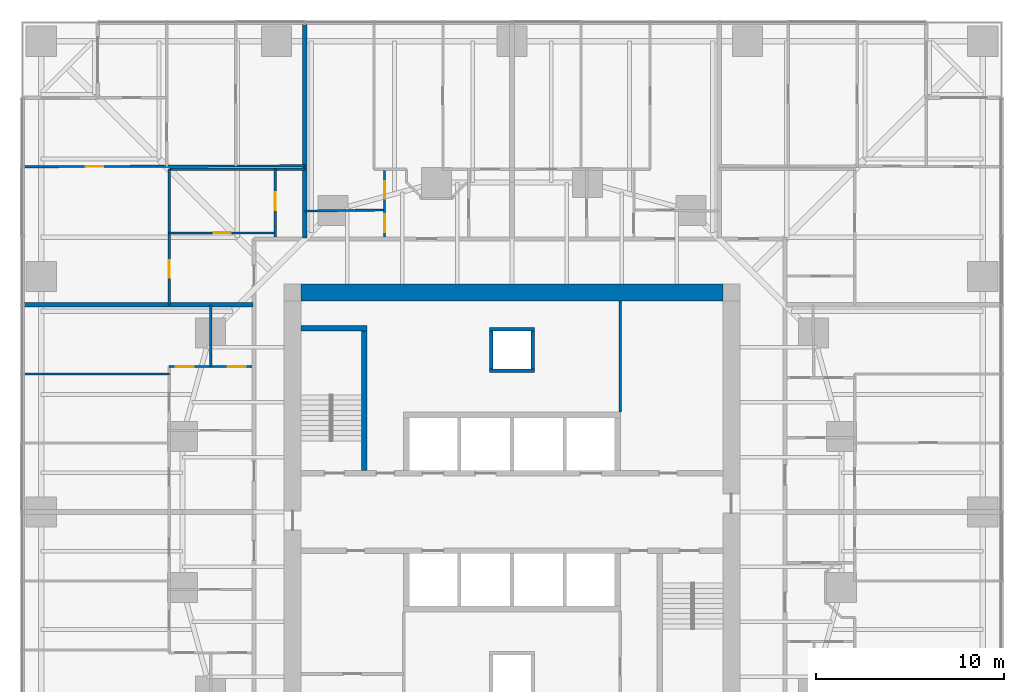
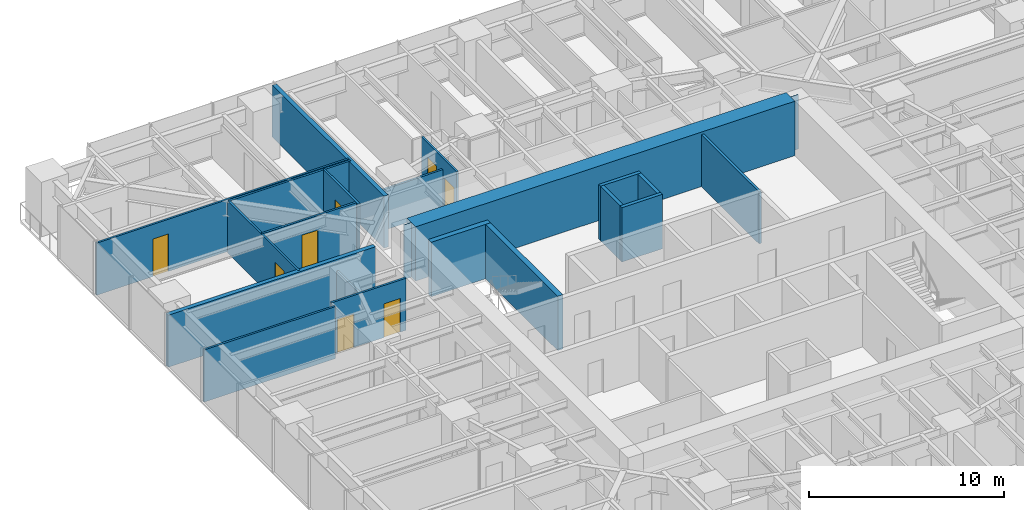
# One storey, part 12 of 16: 20 walls, 8 doors, 8 openings.
"""IFC4 building model written with IfcOpenShell, lengths in metres."""

import ifcopenshell
import ifcopenshell.guid

model = None  # the IFC model being written
_history = None  # IfcOwnerHistory: only IFC2X3 demands one
_inside = {}  # id of a spatial element -> (the spatial element, [elements in it])
_under = {}  # id of a project, library or spatial element -> (it, [spatial elements below it])
_declared = {}  # id of a project -> (the project, [libraries it declares])
_typed = {}  # id of a type object -> (the type object, [elements of that type])
_made_of = {}  # id of a material, layer set ... -> (it, [elements and type objects made of it])


def new_model(schema):
    """Start an empty IFC model of exactly this schema.

    Asked for "IFC4X3", IfcOpenShell would pick the latest addendum, in which some entities
    have other attributes; the version numbers below select the first issue.
    IFC2X3 requires an IfcOwnerHistory on every rooted entity: one is made here for all.
    """
    global model, _history
    if schema == "IFC4X3":
        model = ifcopenshell.file(schema_version=(4, 3, 0, 0))
    else:
        model = ifcopenshell.file(schema=schema)
    _inside.clear()
    _under.clear()
    _declared.clear()
    _typed.clear()
    _made_of.clear()
    _history = None
    if model.schema == "IFC2X3":
        org = make("IfcOrganization", Name="unknown")
        user = make(
            "IfcPersonAndOrganization",
            ThePerson=make("IfcPerson", FamilyName="unknown"),
            TheOrganization=org,
        )
        app = make(
            "IfcApplication",
            ApplicationDeveloper=org,
            Version="unknown",
            ApplicationFullName="unknown",
            ApplicationIdentifier="unknown",
        )
        _history = make(
            "IfcOwnerHistory",
            OwningUser=user,
            OwningApplication=app,
            ChangeAction="ADDED",
            CreationDate=0,
        )
    return model


def make(cls, **values):
    """One entity of the class cls with the attributes given. An attribute that is None is left unset."""
    return model.create_entity(
        cls, **{name: value for name, value in values.items() if value is not None}
    )


def rooted(cls, **values):
    """An entity with a GlobalId (a new one), such as an element, a storey or a relation."""
    return make(cls, GlobalId=ifcopenshell.guid.new(), OwnerHistory=_history, **values)


def si_unit(unit_type, name, prefix=None):
    """IfcSIUnit, for example si_unit("LENGTHUNIT", "METRE", prefix="MILLI")."""
    return make("IfcSIUnit", UnitType=unit_type, Prefix=prefix, Name=name)


def assignment(units):
    """IfcUnitAssignment: the units of a project."""
    return None if units is None else make("IfcUnitAssignment", Units=units)


def point(xyz):
    """IfcCartesianPoint."""
    return None if xyz is None else make("IfcCartesianPoint", Coordinates=xyz)


def direction(xyz):
    """IfcDirection."""
    return None if xyz is None else make("IfcDirection", DirectionRatios=xyz)


def frame(location, z_axis=None, x_axis=None):
    """IfcAxis2Placement3D, a coordinate frame: its origin and axes. An axis left out is left unset."""
    return make(
        "IfcAxis2Placement3D",
        Location=point(location),
        Axis=direction(z_axis),
        RefDirection=direction(x_axis),
    )


def frame_2d(location, x_axis=None):
    """IfcAxis2Placement2D, a coordinate frame in the plane: its origin and x axis."""
    return make(
        "IfcAxis2Placement2D", Location=point(location), RefDirection=direction(x_axis)
    )


def origin():
    """The frame at (0, 0, 0) with its axes left unset."""
    return frame((0.0, 0.0, 0.0))


def place(relative_to, where):
    """IfcLocalPlacement: puts the frame where relative to a parent placement (None: the world)."""
    return make(
        "IfcLocalPlacement", PlacementRelTo=relative_to, RelativePlacement=where
    )


def context(
    kind, dimensions, precision=None, world=None, true_north=None, identifier=None
):
    """IfcGeometricRepresentationContext, for example the 3D "Model" context."""
    return make(
        "IfcGeometricRepresentationContext",
        ContextIdentifier=identifier,
        ContextType=kind,
        CoordinateSpaceDimension=dimensions,
        Precision=precision,
        WorldCoordinateSystem=world,
        TrueNorth=true_north,
    )


def subcontext(parent, identifier, kind, view, scale=None):
    """IfcGeometricRepresentationSubContext, for example "Body" below "Model"."""
    return make(
        "IfcGeometricRepresentationSubContext",
        ContextIdentifier=identifier,
        ContextType=kind,
        ParentContext=parent,
        TargetScale=scale,
        TargetView=view,
    )


def project(units=None, contexts=None):
    """IfcProject with its units and contexts."""
    return rooted(
        "IfcProject",
        Name="project",
        RepresentationContexts=contexts,
        UnitsInContext=assignment(units),
    )


def spatial(cls, under=None, at=None, **own):
    """A site, building, storey or space (cls), placed at a placement, below another one or the project."""
    s = rooted(cls, ObjectPlacement=at, **own)
    if under is not None:
        _under.setdefault(under.id(), (under, []))[1].append(s)
    return s


def polyline(points):
    """IfcPolyline through the points."""
    return make("IfcPolyline", Points=[point(p) for p in points])


def profile(cls, at=None, kind="AREA", **sizes):
    """A parametric profile (cls). Its sizes go by their IFC names, for example OverallWidth=200.0."""
    return make(cls, ProfileType=kind, Position=at, **sizes)


def rectangle(**sizes):
    """IfcRectangleProfileDef."""
    return profile("IfcRectangleProfileDef", **sizes)


def outline(outer, holes=None, kind="AREA"):
    """IfcArbitraryClosedProfileDef: a profile drawn as a closed curve; with holes, ...WithVoids."""
    if holes is None:
        return make("IfcArbitraryClosedProfileDef", ProfileType=kind, OuterCurve=outer)
    return make(
        "IfcArbitraryProfileDefWithVoids",
        ProfileType=kind,
        OuterCurve=outer,
        InnerCurves=holes,
    )


def extrude(swept, where, along, depth):
    """IfcExtrudedAreaSolid: the profile swept, set in the frame where, extruded along a direction by depth."""
    return make(
        "IfcExtrudedAreaSolid",
        SweptArea=swept,
        Position=where,
        ExtrudedDirection=direction(along),
        Depth=depth,
    )


def shape(context_of_items, identifier, shape_type, items):
    """IfcShapeRepresentation: the items that make up one representation, for example the "Body"."""
    return make(
        "IfcShapeRepresentation",
        ContextOfItems=context_of_items,
        RepresentationIdentifier=identifier,
        RepresentationType=shape_type,
        Items=items,
    )


def material(Name=None, Category=None):
    """IfcMaterial."""
    return make("IfcMaterial", Name=Name, Category=Category)


def layer(
    of_material, thickness, ventilated=None, Name=None, Category=None, Priority=None
):
    """IfcMaterialLayer: one layer of a wall or slab, of a material (None: an air gap)."""
    return make(
        "IfcMaterialLayer",
        Material=of_material,
        LayerThickness=thickness,
        IsVentilated=ventilated,
        Name=Name,
        Category=Category,
        Priority=Priority,
    )


def layer_set(layers, Name=None):
    """IfcMaterialLayerSet."""
    return make("IfcMaterialLayerSet", MaterialLayers=layers, LayerSetName=Name)


def made_of(thing, what):
    """Note that an element or type object is made of a material, layer set ...; save() writes the relation."""
    if what is not None:
        _made_of.setdefault(what.id(), (what, []))[1].append(thing)
    return thing


def type_object(cls, material=None, **own):
    """A type object (cls), such as IfcWallType, which elements share."""
    return made_of(rooted(cls, **own), material)


def element(
    cls,
    number,
    at=None,
    inside=None,
    cuts=None,
    type_object=None,
    material=None,
    context=None,
    identifier="Body",
    shape_type=None,
    held_by="IfcProductDefinitionShape",
    body=None,
    shapes=None,
    **own,
):
    """One element of the class cls, such as IfcWall. Its Tag is "e" and its number.

    at: its placement. inside: the storey or other place that contains it. cuts: it is an
    opening in that element (IfcRelVoidsElement). A single representation is given by context,
    identifier, shape_type and body (its items); several are given by shapes. held_by: the class
    of the entity that holds the representations. save() writes the other relations.
    """
    e = rooted(cls, Tag="e%d" % number, ObjectPlacement=at, **own)
    if body is not None:
        shapes = [shape(context, identifier, shape_type, body)]
    if shapes is not None:
        e.Representation = make(held_by, Representations=shapes)
    if inside is not None:
        _inside.setdefault(inside.id(), (inside, []))[1].append(e)
    if cuts is not None:
        rooted(
            "IfcRelVoidsElement", RelatingBuildingElement=cuts, RelatedOpeningElement=e
        )
    if type_object is not None:
        _typed.setdefault(type_object.id(), (type_object, []))[1].append(e)
    return made_of(e, material)


def fill(opening, filler):
    """IfcRelFillsElement: the door or window that sits in an opening."""
    return rooted(
        "IfcRelFillsElement",
        RelatingOpeningElement=opening,
        RelatedBuildingElement=filler,
    )


def aggregate(whole, parts):
    """IfcRelAggregates: a whole, such as a stair, and the parts it consists of."""
    return rooted("IfcRelAggregates", RelatingObject=whole, RelatedObjects=parts)


def save(model, path):
    """Write the relations noted so far, then the file.

    IfcRelAggregates (storeys below a building ...), IfcRelContainedInSpatialStructure (elements
    in a storey), IfcRelDefinesByType, IfcRelAssociatesMaterial and IfcRelDeclares: one each for
    every whole, place, type object, material and project.
    """
    for whole, parts in _under.values():
        aggregate(whole, parts)
    for where, things in _inside.values():
        rooted(
            "IfcRelContainedInSpatialStructure",
            RelatedElements=things,
            RelatingStructure=where,
        )
    for kind, things in _typed.values():
        rooted("IfcRelDefinesByType", RelatedObjects=things, RelatingType=kind)
    for what, things in _made_of.values():
        rooted("IfcRelAssociatesMaterial", RelatedObjects=things, RelatingMaterial=what)
    for by, libraries in _declared.values():
        rooted("IfcRelDeclares", RelatingContext=by, RelatedDefinitions=libraries)
    model.write(path)


model = new_model("IFC4")

# Units and contexts
model_context = context("Model", 3, precision=1e-05, world=origin(), true_north=direction((0.0, 1.0)))
body_context = subcontext(model_context, "Body", "Model", "MODEL_VIEW")
ifc_project = project(units=[si_unit("LENGTHUNIT", "METRE"), si_unit("AREAUNIT", "SQUARE_METRE"), si_unit("VOLUMEUNIT", "CUBIC_METRE"), si_unit("PLANEANGLEUNIT", "RADIAN"), si_unit("MASSUNIT", "GRAM", prefix="KILO")], contexts=[model_context])

# Site, building, storey
site_placement = place(None, origin())
site = spatial("IfcSite", under=ifc_project, at=site_placement, CompositionType="ELEMENT")
building_placement = place(site_placement, origin())
building = spatial("IfcBuilding", under=site, at=building_placement, Name="Torsade Residences", CompositionType="ELEMENT")
storey_placement = place(building_placement, frame((0.0, 0.0, 35.39990234375)))
storey = spatial("IfcBuildingStorey", under=building, at=storey_placement, Name="L09", CompositionType="ELEMENT", Elevation=35.39990234375)

# Walls
ifc_material_1 = material(Name="Concrete 80 MPa", Category="concrete")
ifc_layer_1 = layer(ifc_material_1, 0.300048828125)
ifc_layer_set_1 = layer_set([ifc_layer_1], Name="Concrete 80 MPa")
wall_type_1 = type_object("IfcWallType", Name="CORE INTERNAL WALL 300", PredefinedType="SHEAR", material=ifc_layer_set_1)
wall_1_placement = place(storey_placement, frame((32.14990234375, 32.199951171875, 0.0), z_axis=(0.0, 0.0, 1.0), x_axis=(0.0, 1.0, 0.0)))
element("IfcWall", 1, at=wall_1_placement, inside=storey, type_object=wall_type_1, Name="Core wall ST1E L09", PredefinedType="SHEAR", context=body_context, shape_type="SweptSolid", body=[
    extrude(rectangle(XDim=7.699951171875, YDim=0.300048828125, at=frame_2d((3.85009765625, 0.0))), origin(), (0.0, 0.0, 1.0), 3.400146484375),
])
wall_2_placement = place(storey_placement, frame((28.800048828125, 39.75, 0.0), z_axis=(0.0, 0.0, 1.0), x_axis=(1.0, 0.0, 0.0)))
element("IfcWall", 2, at=wall_2_placement, inside=storey, type_object=wall_type_1, Name="Core wall ST1N L09", PredefinedType="SHEAR", context=body_context, shape_type="SweptSolid", body=[
    extrude(rectangle(XDim=3.5, YDim=0.300048828125, at=frame_2d((1.75, 0.0))), origin(), (0.0, 0.0, 1.0), 3.400146484375),
])
ifc_material_2 = material(Name="Concrete 80 MPa", Category="concrete")
ifc_layer_2 = layer(ifc_material_2, 0.89990234375)
ifc_layer_set_2 = layer_set([ifc_layer_2], Name="Concrete 80 MPa")
wall_type_2 = type_object("IfcWallType", Name="CORE WALL 900", PredefinedType="SHEAR", material=ifc_layer_set_2)
wall_3_placement = place(storey_placement, frame((28.800048828125, 41.64990234375, 0.0), z_axis=(0.0, 0.0, 1.0), x_axis=(1.0, 0.0, 0.0)))
element("IfcWall", 3, at=wall_3_placement, inside=storey, type_object=wall_type_2, Name="Core wall N L09", PredefinedType="SHEAR", context=body_context, shape_type="SweptSolid", body=[
    extrude(outline(polyline([(0.0, -0.449951171875), (22.39990234375, -0.449951171875), (22.39990234375, -0.02490234375), (22.849853515625, -0.02490234375), (22.849853515625, 0.02490234375), (22.39990234375, 0.02490234375), (22.39990234375, 0.449951171875), (0.0, 0.449951171875), (0.0, 0.02490234375), (-0.449951171875, 0.02490234375), (-0.449951171875, -0.02490234375), (0.0, -0.02490234375), (0.0, -0.449951171875)])), origin(), (0.0, 0.0, 1.0), 3.400146484375),
])

# Wall, openings, doors
ifc_material_3 = material(Name="Plasterboard on steel stud", Category="steel")
ifc_layer_3 = layer(ifc_material_3, 0.1201171875)
ifc_layer_set_3 = layer_set([ifc_layer_3], Name="Plasterboard on steel stud")
wall_type_3 = type_object("IfcWallType", Name="PARTITION 120", PredefinedType="PARTITIONING", material=ifc_layer_set_3)
wall_4_placement = place(storey_placement, frame((33.235107421875, 44.60009765625, 0.0), z_axis=(0.0, 0.0, 1.0), x_axis=(0.0, 1.0, 0.0)))
wall_4 = element("IfcWall", 4, at=wall_4_placement, inside=storey, type_object=wall_type_3, Name="Partition L09", PredefinedType="PARTITIONING", context=body_context, shape_type="SweptSolid", body=[
    extrude(rectangle(XDim=3.599853515625, YDim=0.1201171875, at=frame_2d((1.7998046875, 0.0))), origin(), (0.0, 0.0, 1.0), 3.25),
])
opening_1_placement = place(wall_4_placement, frame((2.033447265625, 0.0, 0.0)))
opening_1 = element("IfcOpeningElement", 5, at=opening_1_placement, cuts=wall_4, Name="Opening D02", PredefinedType="OPENING", context=body_context, shape_type="SweptSolid", body=[
    extrude(rectangle(XDim=0.919921875, YDim=2.340087890625, at=frame_2d((0.4599609375, 1.169921875))), frame((0.0, 0.070068359375, 0.0), z_axis=(0.0, -1.0, 0.0), x_axis=(1.0, 0.0, 0.0)), (0.0, 0.0, 1.0), 0.14013671875),
])
opening_2_placement = place(wall_4_placement, frame((0.263427734375, 0.0, 0.0)))
opening_2 = element("IfcOpeningElement", 6, at=opening_2_placement, cuts=wall_4, Name="Opening D05", PredefinedType="OPENING", context=body_context, shape_type="SweptSolid", body=[
    extrude(rectangle(XDim=0.9599609375, YDim=2.10009765625, at=frame_2d((0.47998046875, 1.050048828125))), frame((0.0, 0.070068359375, 0.0), z_axis=(0.0, -1.0, 0.0), x_axis=(1.0, 0.0, 0.0)), (0.0, 0.0, 1.0), 0.14013671875),
])
ifc_material_4 = material(Name="Hollow-core timber door in a steel cavity frame", Category="steel")
door_type_1 = type_object("IfcDoorType", Name="BATHROOM CAVITY SLIDING DOOR 960", OperationType="SLIDING_TO_LEFT", PredefinedType="DOOR", material=ifc_material_4)
door_1_placement = place(opening_2_placement, origin())
door_1 = element("IfcDoor", 7, at=door_1_placement, inside=storey, type_object=door_type_1, Name="Door Kitchen and dining to Bathroom", OperationType="SLIDING_TO_LEFT", OverallHeight=2.10009765625, OverallWidth=0.9599609375, PredefinedType="DOOR", context=body_context, shape_type="SweptSolid", body=[
    extrude(rectangle(XDim=0.9599609375, YDim=2.10009765625, at=frame_2d((0.47998046875, 1.050048828125))), frame((0.0, 0.02490234375, 0.0), z_axis=(0.0, -1.0, 0.0), x_axis=(1.0, 0.0, 0.0)), (0.0, 0.0, 1.0), 0.050048828125),
])
fill(opening_2, door_1)
ifc_material_5 = material(Name="Hollow-core timber door", Category="wood")
door_type_2 = type_object("IfcDoorType", Name="INTERNAL DOOR 920x2340", OperationType="NOTDEFINED", PredefinedType="DOOR", material=ifc_material_5)
door_2_placement = place(opening_1_placement, origin())
door_2 = element("IfcDoor", 8, at=door_2_placement, inside=storey, type_object=door_type_2, Name="Door Kitchen and dining to Bedroom 1", OperationType="SINGLE_SWING_RIGHT", OverallHeight=2.340087890625, OverallWidth=0.919921875, PredefinedType="DOOR", context=body_context, shape_type="SweptSolid", body=[
    extrude(rectangle(XDim=0.919921875, YDim=2.340087890625, at=frame_2d((0.4599609375, 1.169921875))), frame((0.0, 0.02490234375, 0.0), z_axis=(0.0, -1.0, 0.0), x_axis=(1.0, 0.0, 0.0)), (0.0, 0.0, 1.0), 0.050048828125),
])
fill(opening_1, door_2)

# Wall
wall_5_placement = place(storey_placement, frame((29.0, 45.979736328125, 0.0), z_axis=(0.0, 0.0, 1.0), x_axis=(0.999909030942, 0.01348813704, 0.0)))
element("IfcWall", 9, at=wall_5_placement, inside=storey, type_object=wall_type_3, Name="Partition L09", PredefinedType="PARTITIONING", context=body_context, shape_type="SweptSolid", body=[
    extrude(rectangle(XDim=4.235595703125, YDim=0.1201171875, at=frame_2d((2.11767578125, 0.0))), origin(), (0.0, 0.0, 1.0), 2.549072265625),
])

# Wall, opening, door
wall_6_placement = place(storey_placement, frame((21.800048828125, 44.82080078125, 0.0), z_axis=(0.0, 0.0, 1.0), x_axis=(1.0, 0.0, 0.0)))
wall_6 = element("IfcWall", 10, at=wall_6_placement, inside=storey, type_object=wall_type_3, Name="Partition L09", PredefinedType="PARTITIONING", context=body_context, shape_type="SweptSolid", body=[
    extrude(rectangle(XDim=5.631103515625, YDim=0.1201171875, at=frame_2d((2.8154296875, 0.0))), origin(), (0.0, 0.0, 1.0), 3.25),
])
opening_3_placement = place(wall_6_placement, frame((2.35546875, 0.0, 0.0)))
opening_3 = element("IfcOpeningElement", 11, at=opening_3_placement, cuts=wall_6, Name="Opening D02", PredefinedType="OPENING", context=body_context, shape_type="SweptSolid", body=[
    extrude(rectangle(XDim=0.919921875, YDim=2.340087890625, at=frame_2d((0.4599609375, 1.169921875))), frame((0.0, 0.070068359375, 0.0), z_axis=(0.0, -1.0, 0.0), x_axis=(1.0, 0.0, 0.0)), (0.0, 0.0, 1.0), 0.14013671875),
])
door_3_placement = place(opening_3_placement, origin())
door_3 = element("IfcDoor", 12, at=door_3_placement, inside=storey, type_object=door_type_2, Name="Door Kitchen and dining to Scullery", OperationType="SINGLE_SWING_LEFT", OverallHeight=2.340087890625, OverallWidth=0.919921875, PredefinedType="DOOR", context=body_context, shape_type="SweptSolid", body=[
    extrude(rectangle(XDim=0.919921875, YDim=2.340087890625, at=frame_2d((0.4599609375, 1.169921875))), frame((0.0, 0.02490234375, 0.0), z_axis=(0.0, -1.0, 0.0), x_axis=(1.0, 0.0, 0.0)), (0.0, 0.0, 1.0), 0.050048828125),
])
fill(opening_3, door_3)

wall_7_placement = place(storey_placement, frame((27.43115234375, 48.199951171875, 0.0), z_axis=(0.0, 0.0, 1.0), x_axis=(0.0, -1.0, 0.0)))
wall_7 = element("IfcWall", 13, at=wall_7_placement, inside=storey, type_object=wall_type_3, Name="Partition L09", PredefinedType="PARTITIONING", context=body_context, shape_type="SweptSolid", body=[
    extrude(rectangle(XDim=3.599853515625, YDim=0.1201171875, at=frame_2d((1.7998046875, 0.0))), origin(), (0.0, 0.0, 1.0), 3.25),
])
opening_4_placement = place(wall_7_placement, frame((1.20947265625, 0.0, 0.0)))
opening_4 = element("IfcOpeningElement", 14, at=opening_4_placement, cuts=wall_7, Name="Opening D05", PredefinedType="OPENING", context=body_context, shape_type="SweptSolid", body=[
    extrude(rectangle(XDim=0.9599609375, YDim=2.10009765625, at=frame_2d((0.47998046875, 1.050048828125))), frame((0.0, 0.070068359375, 0.0), z_axis=(0.0, -1.0, 0.0), x_axis=(1.0, 0.0, 0.0)), (0.0, 0.0, 1.0), 0.14013671875),
])
door_4_placement = place(opening_4_placement, origin())
door_4 = element("IfcDoor", 15, at=door_4_placement, inside=storey, type_object=door_type_1, Name="Door Scullery to Bathroom", OperationType="SLIDING_TO_LEFT", OverallHeight=2.10009765625, OverallWidth=0.9599609375, PredefinedType="DOOR", context=body_context, shape_type="SweptSolid", body=[
    extrude(rectangle(XDim=0.9599609375, YDim=2.10009765625, at=frame_2d((0.47998046875, 1.050048828125))), frame((0.0, 0.02490234375, 0.0), z_axis=(0.0, -1.0, 0.0), x_axis=(1.0, 0.0, 0.0)), (0.0, 0.0, 1.0), 0.050048828125),
])
fill(opening_4, door_4)

wall_8_placement = place(storey_placement, frame((21.800048828125, 41.0, 0.0), z_axis=(0.0, 0.0, 1.0), x_axis=(0.0, 1.0, 0.0)))
wall_8 = element("IfcWall", 16, at=wall_8_placement, inside=storey, type_object=wall_type_3, Name="Partition L09", PredefinedType="PARTITIONING", context=body_context, shape_type="SweptSolid", body=[
    extrude(rectangle(XDim=7.199951171875, YDim=0.1201171875, at=frame_2d((3.60009765625, 0.0))), origin(), (0.0, 0.0, 1.0), 3.25),
])
opening_5_placement = place(wall_8_placement, frame((1.450439453125, 0.0, 0.0)))
opening_5 = element("IfcOpeningElement", 17, at=opening_5_placement, cuts=wall_8, Name="Opening D02", PredefinedType="OPENING", context=body_context, shape_type="SweptSolid", body=[
    extrude(rectangle(XDim=0.919921875, YDim=2.340087890625, at=frame_2d((0.4599609375, 1.169921875))), frame((0.0, 0.070068359375, 0.0), z_axis=(0.0, -1.0, 0.0), x_axis=(1.0, 0.0, 0.0)), (0.0, 0.0, 1.0), 0.14013671875),
])
door_5_placement = place(opening_5_placement, origin())
door_5 = element("IfcDoor", 18, at=door_5_placement, inside=storey, type_object=door_type_2, Name="Door Kitchen and dining to Living room", OperationType="SINGLE_SWING_LEFT", OverallHeight=2.340087890625, OverallWidth=0.919921875, PredefinedType="DOOR", context=body_context, shape_type="SweptSolid", body=[
    extrude(rectangle(XDim=0.919921875, YDim=2.340087890625, at=frame_2d((0.4599609375, 1.169921875))), frame((0.0, 0.02490234375, 0.0), z_axis=(0.0, -1.0, 0.0), x_axis=(1.0, 0.0, 0.0)), (0.0, 0.0, 1.0), 0.050048828125),
])
fill(opening_5, door_5)

# Wall
wall_9_placement = place(storey_placement, frame((21.800048828125, 48.199951171875, 0.0), z_axis=(0.0, 0.0, 1.0), x_axis=(1.0, 0.0, 0.0)))
element("IfcWall", 19, at=wall_9_placement, inside=storey, type_object=wall_type_3, Name="Partition L09", PredefinedType="PARTITIONING", context=body_context, shape_type="SweptSolid", body=[
    extrude(rectangle(XDim=7.199951171875, YDim=0.1201171875, at=frame_2d((3.60009765625, 0.0))), origin(), (0.0, 0.0, 1.0), 3.25),
])

# Wall, opening, door
wall_10_placement = place(storey_placement, frame((14.0400390625, 48.333251953125, 0.0), z_axis=(0.0, 0.0, 1.0), x_axis=(0.9999944038, 0.003345499915, 0.0)))
wall_10 = element("IfcWall", 20, at=wall_10_placement, inside=storey, type_object=wall_type_3, Name="Partition L09", PredefinedType="PARTITIONING", context=body_context, shape_type="SweptSolid", body=[
    extrude(rectangle(XDim=14.9599609375, YDim=0.1201171875, at=frame_2d((7.47998046875, 0.0))), origin(), (0.0, 0.0, 1.0), 3.25),
])
opening_6_placement = place(wall_10_placement, frame((3.333251953125, 0.0, 0.0)))
opening_6 = element("IfcOpeningElement", 21, at=opening_6_placement, cuts=wall_10, Name="Opening D02", PredefinedType="OPENING", context=body_context, shape_type="SweptSolid", body=[
    extrude(rectangle(XDim=0.919921875, YDim=2.340087890625, at=frame_2d((0.4599609375, 1.169921875))), frame((0.0, 0.070068359375, 0.0), z_axis=(0.0, -1.0, 0.0), x_axis=(1.0, 0.0, 0.0)), (0.0, 0.0, 1.0), 0.14013671875),
])
door_6_placement = place(opening_6_placement, origin())
door_6 = element("IfcDoor", 22, at=door_6_placement, inside=storey, type_object=door_type_2, Name="Door Living room to Bedroom 1", OperationType="SINGLE_SWING_RIGHT", OverallHeight=2.340087890625, OverallWidth=0.919921875, PredefinedType="DOOR", context=body_context, shape_type="SweptSolid", body=[
    extrude(rectangle(XDim=0.919921875, YDim=2.340087890625, at=frame_2d((0.4599609375, 1.169921875))), frame((0.0, 0.02490234375, 0.0), z_axis=(0.0, -1.0, 0.0), x_axis=(1.0, 0.0, 0.0)), (0.0, 0.0, 1.0), 0.050048828125),
])
fill(opening_6, door_6)

# Wall, openings, doors
wall_11_placement = place(storey_placement, frame((21.800048828125, 37.721923828125, 0.0), z_axis=(0.0, 0.0, 1.0), x_axis=(1.0, 0.0, 0.0)))
wall_11 = element("IfcWall", 23, at=wall_11_placement, inside=storey, type_object=wall_type_3, Name="Partition L09", PredefinedType="PARTITIONING", context=body_context, shape_type="SweptSolid", body=[
    extrude(rectangle(XDim=4.39990234375, YDim=0.1201171875, at=frame_2d((2.199951171875, 0.0))), origin(), (0.0, 0.0, 1.0), 3.25),
])
opening_7_placement = place(wall_11_placement, frame((3.094970703125, 0.0, 0.0)))
opening_7 = element("IfcOpeningElement", 24, at=opening_7_placement, cuts=wall_11, Name="Opening D05", PredefinedType="OPENING", context=body_context, shape_type="SweptSolid", body=[
    extrude(rectangle(XDim=0.9599609375, YDim=2.10009765625, at=frame_2d((0.47998046875, 1.050048828125))), frame((0.0, 0.070068359375, 0.0), z_axis=(0.0, -1.0, 0.0), x_axis=(1.0, 0.0, 0.0)), (0.0, 0.0, 1.0), 0.14013671875),
])
opening_8_placement = place(wall_11_placement, frame((0.344970703125, 0.0, 0.0)))
opening_8 = element("IfcOpeningElement", 25, at=opening_8_placement, cuts=wall_11, Name="Opening D05", PredefinedType="OPENING", context=body_context, shape_type="SweptSolid", body=[
    extrude(rectangle(XDim=0.9599609375, YDim=2.10009765625, at=frame_2d((0.47998046875, 1.050048828125))), frame((0.0, 0.070068359375, 0.0), z_axis=(0.0, -1.0, 0.0), x_axis=(1.0, 0.0, 0.0)), (0.0, 0.0, 1.0), 0.14013671875),
])
door_7_placement = place(opening_7_placement, origin())
door_7 = element("IfcDoor", 26, at=door_7_placement, inside=storey, type_object=door_type_1, Name="Door Bathroom to Ensuite", OperationType="SLIDING_TO_LEFT", OverallHeight=2.10009765625, OverallWidth=0.9599609375, PredefinedType="DOOR", context=body_context, shape_type="SweptSolid", body=[
    extrude(rectangle(XDim=0.9599609375, YDim=2.10009765625, at=frame_2d((0.47998046875, 1.050048828125))), frame((0.0, 0.02490234375, 0.0), z_axis=(0.0, -1.0, 0.0), x_axis=(1.0, 0.0, 0.0)), (0.0, 0.0, 1.0), 0.050048828125),
])
fill(opening_7, door_7)
door_8_placement = place(opening_8_placement, origin())
door_8 = element("IfcDoor", 27, at=door_8_placement, inside=storey, type_object=door_type_1, Name="Door Bathroom to Living room", OperationType="SLIDING_TO_LEFT", OverallHeight=2.10009765625, OverallWidth=0.9599609375, PredefinedType="DOOR", context=body_context, shape_type="SweptSolid", body=[
    extrude(rectangle(XDim=0.9599609375, YDim=2.10009765625, at=frame_2d((0.47998046875, 1.050048828125))), frame((0.0, 0.02490234375, 0.0), z_axis=(0.0, -1.0, 0.0), x_axis=(1.0, 0.0, 0.0)), (0.0, 0.0, 1.0), 0.050048828125),
])
fill(opening_8, door_8)

# Walls
wall_12_placement = place(storey_placement, frame((24.0, 37.721923828125, 0.0), z_axis=(0.0, 0.0, 1.0), x_axis=(0.0, 1.0, 0.0)))
element("IfcWall", 28, at=wall_12_placement, inside=storey, type_object=wall_type_3, Name="Partition L09", PredefinedType="PARTITIONING", context=body_context, shape_type="SweptSolid", body=[
    extrude(rectangle(XDim=3.278076171875, YDim=0.1201171875, at=frame_2d((1.63916015625, 0.0))), origin(), (0.0, 0.0, 1.0), 2.549072265625),
])
wall_13_placement = place(storey_placement, frame((21.800048828125, 37.333251953125, 0.0), z_axis=(0.0, 0.0, 1.0), x_axis=(-1.0, 0.0, 0.0)))
element("IfcWall", 29, at=wall_13_placement, inside=storey, type_object=wall_type_3, Name="Partition L09", PredefinedType="PARTITIONING", context=body_context, shape_type="SweptSolid", body=[
    extrude(rectangle(XDim=7.760009765625, YDim=0.1201171875, at=frame_2d((3.8798828125, 0.0))), origin(), (0.0, 0.0, 1.0), 3.25),
])
ifc_material_6 = material(Name="Masonry-lined stud party wall", Category="masonry")
ifc_layer_4 = layer(ifc_material_6, 0.25)
ifc_layer_set_4 = layer_set([ifc_layer_4], Name="Masonry-lined stud party wall")
wall_type_4 = type_object("IfcWallType", Name="PARTY WALL 250", PredefinedType="PARTITIONING", material=ifc_layer_set_4)
wall_14_placement = place(storey_placement, frame((29.0, 56.0, 0.0), z_axis=(0.0, 0.0, 1.0), x_axis=(0.0, -1.0, 0.0)))
element("IfcWall", 30, at=wall_14_placement, inside=storey, type_object=wall_type_4, Name="Party wall L09", PredefinedType="PARTITIONING", context=body_context, shape_type="SweptSolid", body=[
    extrude(rectangle(XDim=11.43994140625, YDim=0.25, at=frame_2d((5.719970703125, 0.0))), origin(), (0.0, 0.0, 1.0), 3.25),
])
wall_15_placement = place(storey_placement, frame((14.0, 41.0, 0.0), z_axis=(0.0, 0.0, 1.0), x_axis=(1.0, 0.0, 0.0)))
element("IfcWall", 31, at=wall_15_placement, inside=storey, type_object=wall_type_4, Name="Party wall L09", PredefinedType="PARTITIONING", context=body_context, shape_type="SweptSolid", body=[
    extrude(rectangle(XDim=12.239990234375, YDim=0.25, at=frame_2d((6.1201171875, 0.0))), origin(), (0.0, 0.0, 1.0), 3.25),
])
ifc_material_7 = material(Name="Reinforced blockwork", Category="masonry")
ifc_layer_5 = layer(ifc_material_7, 0.199951171875)
ifc_layer_set_5 = layer_set([ifc_layer_5], Name="Reinforced blockwork")
wall_type_5 = type_object("IfcWallType", Name="RISER SHAFT WALL 200", PredefinedType="SOLIDWALL", material=ifc_layer_set_5)
for number, where, z_axis, x_axis, name in (
    (32, (38.89990234375, 37.60009765625, 0.0), (0.0, 0.0, 1.0), (0.0, 1.0, 0.0), "Core wall RS1a L09"),
    (33, (41.10009765625, 37.60009765625, 0.0), (0.0, 0.0, 1.0), (0.0, 1.0, 0.0), "Core wall RS1b L09"),
):
    element("IfcWall", number, at=place(storey_placement, frame(where, z_axis=z_axis, x_axis=x_axis)), inside=storey, type_object=wall_type_5, Name=name, PredefinedType="SOLIDWALL", context=body_context, shape_type="SweptSolid", body=[
        extrude(rectangle(XDim=2.0, YDim=0.199951171875, at=frame_2d((1.0, 0.0))), origin(), (0.0, 0.0, 1.0), 3.400146484375),
    ])
for number, where, z_axis, x_axis, name in (
    (34, (38.800048828125, 37.5, 0.0), (0.0, 0.0, 1.0), (1.0, 0.0, 0.0), "Core wall RS1c L09"),
    (35, (38.800048828125, 39.699951171875, 0.0), (0.0, 0.0, 1.0), (1.0, 0.0, 0.0), "Core wall RS1d L09"),
):
    element("IfcWall", number, at=place(storey_placement, frame(where, z_axis=z_axis, x_axis=x_axis)), inside=storey, type_object=wall_type_5, Name=name, PredefinedType="SOLIDWALL", context=body_context, shape_type="SweptSolid", body=[
        extrude(rectangle(XDim=2.39990234375, YDim=0.199951171875, at=frame_2d((1.199951171875, 0.0))), origin(), (0.0, 0.0, 1.0), 3.400146484375),
    ])
ifc_material_8 = material(Name="Reinforced blockwork", Category="masonry")
ifc_layer_6 = layer(ifc_material_8, 0.14990234375)
ifc_layer_set_6 = layer_set([ifc_layer_6], Name="Reinforced blockwork")
wall_type_6 = type_object("IfcWallType", Name="SERVICE ROOM WALL 150", PredefinedType="SOLIDWALL", material=ifc_layer_set_6)
wall_16_placement = place(storey_placement, frame((45.75, 41.199951171875, 0.0), z_axis=(0.0, 0.0, 1.0), x_axis=(0.0, -1.0, 0.0)))
element("IfcWall", 36, at=wall_16_placement, inside=storey, type_object=wall_type_6, Name="Service room wall L09", PredefinedType="SOLIDWALL", context=body_context, shape_type="SweptSolid", body=[
    extrude(rectangle(XDim=5.89990234375, YDim=0.14990234375, at=frame_2d((2.949951171875, 0.0))), origin(), (0.0, 0.0, 1.0), 3.25),
])

save(model, "model.ifc")
